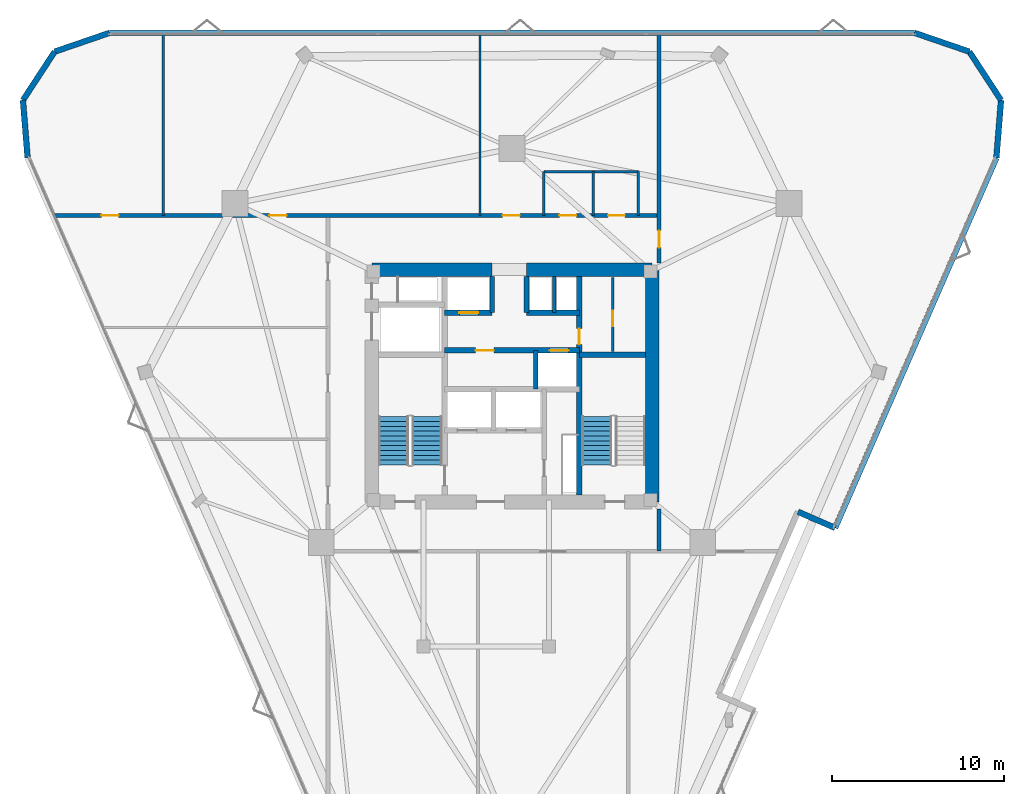
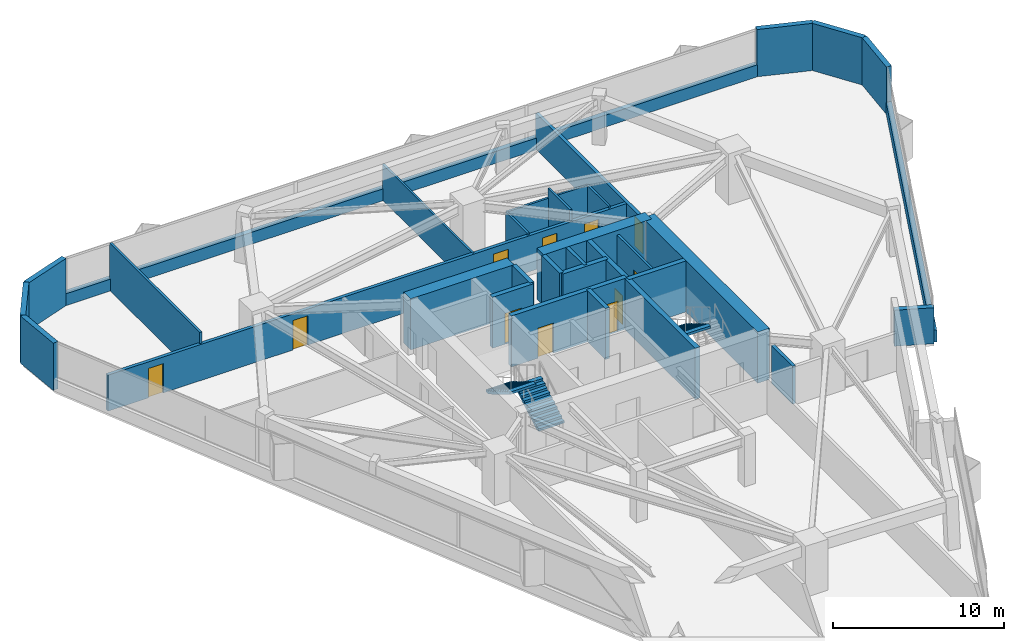
# One storey, part 10 of 12: 31 walls, 11 doors, 3 stair flights, 11 openings, 2 elements without a shape of their own.
"""IFC4 building model written with IfcOpenShell, lengths in metres."""

from ifc_helpers import new_model, si_unit, direction, frame, frame_2d, origin, place, context, subcontext, project, spatial, polyline, rectangle, outline, extrude, material, layer, layer_set, type_object, element, fill, aggregate, save


model = new_model("IFC4")

# Units and contexts
model_context = context("Model", 3, precision=1e-05, world=origin(), true_north=direction((0.0, 1.0)))
body_context = subcontext(model_context, "Body", "Model", "MODEL_VIEW")
ifc_project = project(units=[si_unit("LENGTHUNIT", "METRE"), si_unit("AREAUNIT", "SQUARE_METRE"), si_unit("VOLUMEUNIT", "CUBIC_METRE"), si_unit("PLANEANGLEUNIT", "RADIAN"), si_unit("MASSUNIT", "GRAM", prefix="KILO")], contexts=[model_context])

# Site, building, storey
site_placement = place(None, origin())
site = spatial("IfcSite", under=ifc_project, at=site_placement, CompositionType="ELEMENT")
building_placement = place(site_placement, origin())
building = spatial("IfcBuilding", under=site, at=building_placement, Name="Talyreon Biosciences Tower", CompositionType="ELEMENT")
storey_placement = place(building_placement, frame((0.0, 0.0, 152.75)))
storey = spatial("IfcBuildingStorey", under=building, at=storey_placement, Name="L40", CompositionType="ELEMENT", Elevation=152.75)

# Walls
ifc_material_1 = material(Name="Concrete C50/60", Category="concrete")
ifc_layer_1 = layer(ifc_material_1, 0.219970703125)
ifc_layer_set_1 = layer_set([ifc_layer_1], Name="Concrete C50/60")
wall_type_1 = type_object("IfcWallType", Name="CoreShearWall_220", PredefinedType="SHEAR", material=ifc_layer_set_1)
wall_1_placement = place(storey_placement, frame((68.4599609375, 72.25, 0.0), z_axis=(0.0, 0.0, 1.0), x_axis=(0.0, 1.0, 0.0)))
element("IfcWall", 1, at=wall_1_placement, inside=storey, type_object=wall_type_1, Name="L40 Core Shaft Wall SWPHD", PredefinedType="SHEAR", context=body_context, shape_type="SweptSolid", body=[
    extrude(rectangle(XDim=2.10009765625, YDim=0.219970703125, at=frame_2d((1.050048828125, 0.0))), origin(), (0.0, 0.0, 1.0), 3.64990234375),
])
ifc_layer_2 = layer(ifc_material_1, 0.280029296875)
ifc_layer_set_2 = layer_set([ifc_layer_2], Name="Concrete C50/60")
wall_type_2 = type_object("IfcWallType", Name="CoreShearWall_280", PredefinedType="SHEAR", material=ifc_layer_set_2)
for number, where, z_axis, x_axis, name in (
    (2, (64.85009765625, 72.25, 0.0), (0.0, 0.0, 1.0), (0.0, 1.0, 0.0), "L40 Core Shaft Wall SWTHW"),
    (3, (66.85009765625, 72.25, 0.0), (0.0, 0.0, 1.0), (0.0, 1.0, 0.0), "L40 Core Shaft Wall SWTHE"),
):
    element("IfcWall", number, at=place(storey_placement, frame(where, z_axis=z_axis, x_axis=x_axis)), inside=storey, type_object=wall_type_2, Name=name, PredefinedType="SHEAR", context=body_context, shape_type="SweptSolid", body=[
        extrude(rectangle(XDim=2.10009765625, YDim=0.280029296875, at=frame_2d((1.050048828125, 0.0))), origin(), (0.0, 0.0, 1.0), 3.64990234375),
    ])
wall_2_placement = place(storey_placement, frame((67.3798828125, 67.800048828125, 0.0), z_axis=(0.0, 0.0, 1.0), x_axis=(0.0, 1.0, 0.0)))
element("IfcWall", 4, at=wall_2_placement, inside=storey, type_object=wall_type_2, Name="L40 Core Shaft Wall SWPMD", PredefinedType="SHEAR", context=body_context, shape_type="SweptSolid", body=[
    extrude(rectangle(XDim=2.25, YDim=0.280029296875, at=frame_2d((1.125, 0.0))), origin(), (0.0, 0.0, 1.0), 3.64990234375),
])

# Wall, opening, door
ifc_layer_3 = layer(ifc_material_1, 0.320068359375)
ifc_layer_set_3 = layer_set([ifc_layer_3], Name="Concrete C50/60")
wall_type_3 = type_object("IfcWallType", Name="CoreShearWall_320", PredefinedType="SHEAR", material=ifc_layer_set_3)
wall_3_placement = place(storey_placement, frame((69.909912109375, 61.64990234375, 0.0), z_axis=(0.0, 0.0, 1.0), x_axis=(0.0, 1.0, 0.0)))
wall_3 = element("IfcWall", 5, at=wall_3_placement, inside=storey, type_object=wall_type_3, Name="L40 Core Shaft Wall SW2W", PredefinedType="SHEAR", context=body_context, shape_type="SweptSolid", body=[
    extrude(rectangle(XDim=12.7001953125, YDim=0.320068359375, at=frame_2d((6.35009765625, 0.0))), origin(), (0.0, 0.0, 1.0), 3.64990234375),
])
opening_1_placement = place(wall_3_placement, frame((8.75, 0.0, 0.0)))
opening_1 = element("IfcOpeningElement", 6, at=opening_1_placement, cuts=wall_3, Name="Opening DR-L40-CSRV", PredefinedType="OPENING", context=body_context, shape_type="SweptSolid", body=[
    extrude(rectangle(XDim=0.919921875, YDim=2.050048828125, at=frame_2d((0.4599609375, 1.02490234375))), frame((0.0, 0.169921875, 0.0), z_axis=(0.0, -1.0, 0.0), x_axis=(1.0, 0.0, 0.0)), (0.0, 0.0, 1.0), 0.340087890625),
])
ifc_material_2 = material(Name="Painted steel fire-rated riser door", Category="steel")
door_type_1 = type_object("IfcDoorType", Name="RiserPlantAccessDoor_920x2050", OperationType="NOTDEFINED", PredefinedType="DOOR", material=ifc_material_2)
door_1_placement = place(opening_1_placement, origin())
door_1 = element("IfcDoor", 7, at=door_1_placement, inside=storey, type_object=door_type_1, Name="L40 Core Door DR-L40-CSRV", OperationType="SINGLE_SWING_RIGHT", OverallHeight=2.050048828125, OverallWidth=0.919921875, PredefinedType="DOOR", context=body_context, shape_type="SweptSolid", body=[
    extrude(rectangle(XDim=0.919921875, YDim=2.050048828125, at=frame_2d((0.4599609375, 1.02490234375))), frame((0.0, 0.02490234375, 0.0), z_axis=(0.0, -1.0, 0.0), x_axis=(1.0, 0.0, 0.0)), (0.0, 0.0, 1.0), 0.050048828125),
])
fill(opening_1, door_1)

# Wall
wall_4_placement = place(storey_placement, frame((69.909912109375, 69.81005859375, 0.0), z_axis=(0.0, 0.0, 1.0), x_axis=(1.0, 0.0, 0.0)))
element("IfcWall", 8, at=wall_4_placement, inside=storey, type_object=wall_type_3, Name="L40 Core Shaft Wall SW2N", PredefinedType="SHEAR", context=body_context, shape_type="SweptSolid", body=[
    extrude(rectangle(XDim=3.840087890625, YDim=0.320068359375, at=frame_2d((1.919921875, 0.0))), origin(), (0.0, 0.0, 1.0), 3.64990234375),
])

# Wall, openings, doors
wall_5_placement = place(storey_placement, frame((62.090087890625, 70.050048828125, 0.0), z_axis=(0.0, 0.0, 1.0), x_axis=(1.0, 0.0, 0.0)))
wall_5 = element("IfcWall", 9, at=wall_5_placement, inside=storey, type_object=wall_type_3, Name="L40 Core Shaft Wall SWSPN", PredefinedType="SHEAR", context=body_context, shape_type="SweptSolid", body=[
    extrude(rectangle(XDim=7.81982421875, YDim=0.320068359375, at=frame_2d((3.909912109375, 0.0))), origin(), (0.0, 0.0, 1.0), 3.64990234375),
])
opening_2_placement = place(wall_5_placement, frame((1.800048828125, 0.0, 0.0)))
opening_2 = element("IfcOpeningElement", 10, at=opening_2_placement, cuts=wall_5, Name="Opening DR-L40-PLFREE-A", PredefinedType="OPENING", context=body_context, shape_type="SweptSolid", body=[
    extrude(rectangle(XDim=1.050048828125, YDim=2.14990234375, at=frame_2d((0.52490234375, 1.074951171875))), frame((0.0, 0.169921875, 0.0), z_axis=(0.0, -1.0, 0.0), x_axis=(1.0, 0.0, 0.0)), (0.0, 0.0, 1.0), 0.340087890625),
])
opening_3_placement = place(wall_5_placement, frame((6.10009765625, 0.0, 0.0)))
opening_3 = element("IfcOpeningElement", 11, at=opening_3_placement, cuts=wall_5, Name="Opening LD-L40-PM1", PredefinedType="OPENING", context=body_context, shape_type="SweptSolid", body=[
    extrude(rectangle(XDim=1.10009765625, YDim=2.199951171875, at=frame_2d((0.550048828125, 1.10009765625))), frame((0.0, 0.169921875, 0.0), z_axis=(0.0, -1.0, 0.0), x_axis=(1.0, 0.0, 0.0)), (0.0, 0.0, 1.0), 0.340087890625),
])
ifc_material_3 = material(Name="Acoustic timber-core laboratory door", Category="wood")
door_type_2 = type_object("IfcDoorType", Name="DryLabSingleDoor_1050x2150", OperationType="NOTDEFINED", PredefinedType="DOOR", material=ifc_material_3)
door_2_placement = place(opening_2_placement, origin())
door_2 = element("IfcDoor", 12, at=door_2_placement, inside=storey, type_object=door_type_2, Name="L40 Core Door DR-L40-PLFREE-A", OperationType="SINGLE_SWING_LEFT", OverallHeight=2.14990234375, OverallWidth=1.050048828125, PredefinedType="DOOR", context=body_context, shape_type="SweptSolid", body=[
    extrude(rectangle(XDim=1.050048828125, YDim=2.14990234375, at=frame_2d((0.52490234375, 1.074951171875))), frame((0.0, 0.02490234375, 0.0), z_axis=(0.0, -1.0, 0.0), x_axis=(1.0, 0.0, 0.0)), (0.0, 0.0, 1.0), 0.050048828125),
])
fill(opening_2, door_2)
ifc_material_4 = material(Name="Brushed stainless-steel lift landing door", Category="steel")
door_type_3 = type_object("IfcDoorType", Name="LiftSlidingLandingDoor_1100x2200", OperationType="SLIDING_TO_LEFT", PredefinedType="DOOR", material=ifc_material_4)
door_3_placement = place(opening_3_placement, origin())
door_3 = element("IfcDoor", 13, at=door_3_placement, inside=storey, type_object=door_type_3, Name="L40 Core Door LD-L40-PM1", OperationType="SLIDING_TO_LEFT", OverallHeight=2.199951171875, OverallWidth=1.10009765625, PredefinedType="DOOR", context=body_context, shape_type="SweptSolid", body=[
    extrude(rectangle(XDim=1.10009765625, YDim=2.199951171875, at=frame_2d((0.550048828125, 1.10009765625))), frame((0.0, 0.02490234375, 0.0), z_axis=(0.0, -1.0, 0.0), x_axis=(1.0, 0.0, 0.0)), (0.0, 0.0, 1.0), 0.050048828125),
])
fill(opening_3, door_3)

# Wall, opening, door
wall_6_placement = place(storey_placement, frame((62.090087890625, 72.25, 0.0), z_axis=(0.0, 0.0, 1.0), x_axis=(1.0, 0.0, 0.0)))
wall_6 = element("IfcWall", 14, at=wall_6_placement, inside=storey, type_object=wall_type_3, Name="L40 Core Shaft Wall SWNPW", PredefinedType="SHEAR", context=body_context, shape_type="SweptSolid", body=[
    extrude(rectangle(XDim=2.760009765625, YDim=0.320068359375, at=frame_2d((1.3798828125, 0.0))), origin(), (0.0, 0.0, 1.0), 3.64990234375),
])
opening_4_placement = place(wall_6_placement, frame((0.85009765625, 0.0, 0.0)))
opening_4 = element("IfcOpeningElement", 15, at=opening_4_placement, cuts=wall_6, Name="Opening LD-L40-PM2", PredefinedType="OPENING", context=body_context, shape_type="SweptSolid", body=[
    extrude(rectangle(XDim=1.10009765625, YDim=2.199951171875, at=frame_2d((0.550048828125, 1.10009765625))), frame((0.0, 0.169921875, 0.0), z_axis=(0.0, -1.0, 0.0), x_axis=(1.0, 0.0, 0.0)), (0.0, 0.0, 1.0), 0.340087890625),
])
door_4_placement = place(opening_4_placement, origin())
door_4 = element("IfcDoor", 16, at=door_4_placement, inside=storey, type_object=door_type_3, Name="L40 Core Door LD-L40-PM2", OperationType="SLIDING_TO_LEFT", OverallHeight=2.199951171875, OverallWidth=1.10009765625, PredefinedType="DOOR", context=body_context, shape_type="SweptSolid", body=[
    extrude(rectangle(XDim=1.10009765625, YDim=2.199951171875, at=frame_2d((0.550048828125, 1.10009765625))), frame((0.0, 0.02490234375, 0.0), z_axis=(0.0, -1.0, 0.0), x_axis=(1.0, 0.0, 0.0)), (0.0, 0.0, 1.0), 0.050048828125),
])
fill(opening_4, door_4)

# Walls
wall_7_placement = place(storey_placement, frame((66.85009765625, 72.25, 0.0), z_axis=(0.0, 0.0, 1.0), x_axis=(1.0, 0.0, 0.0)))
element("IfcWall", 17, at=wall_7_placement, inside=storey, type_object=wall_type_3, Name="L40 Core Shaft Wall SWNPE", PredefinedType="SHEAR", context=body_context, shape_type="SweptSolid", body=[
    extrude(rectangle(XDim=3.059814453125, YDim=0.320068359375, at=frame_2d((1.52978515625, 0.0))), origin(), (0.0, 0.0, 1.0), 3.64990234375),
])
ifc_material_5 = material(Name="Concrete C60/75", Category="concrete")
ifc_layer_4 = layer(ifc_material_5, 0.800048828125)
ifc_layer_set_4 = layer_set([ifc_layer_4], Name="Concrete C60/75")
wall_type_4 = type_object("IfcWallType", Name="CoreShearWall_800", PredefinedType="SHEAR", material=ifc_layer_set_4)
wall_8_placement = place(storey_placement, frame((74.14990234375, 61.25, 0.0), z_axis=(0.0, 0.0, 1.0), x_axis=(0.0, 1.0, 0.0)))
element("IfcWall", 18, at=wall_8_placement, inside=storey, type_object=wall_type_4, Name="L40 Core Shear Wall E", PredefinedType="SHEAR", context=body_context, shape_type="SweptSolid", body=[
    extrude(rectangle(XDim=13.5, YDim=0.800048828125, at=frame_2d((6.75, 0.0))), origin(), (0.0, 0.0, 1.0), 3.64990234375),
])
wall_9_placement = place(storey_placement, frame((74.14990234375, 74.75, 0.0), z_axis=(0.0, 0.0, 1.0), x_axis=(-1.0, 0.0, 0.0)))
element("IfcWall", 19, at=wall_9_placement, inside=storey, type_object=wall_type_4, Name="L40 Core Shear Wall NE", PredefinedType="SHEAR", context=body_context, shape_type="SweptSolid", body=[
    extrude(rectangle(XDim=7.2998046875, YDim=0.800048828125, at=frame_2d((3.64990234375, 0.0))), origin(), (0.0, 0.0, 1.0), 3.64990234375),
])
wall_10_placement = place(storey_placement, frame((64.85009765625, 74.75, 0.0), z_axis=(0.0, 0.0, 1.0), x_axis=(-1.0, 0.0, 0.0)))
element("IfcWall", 20, at=wall_10_placement, inside=storey, type_object=wall_type_4, Name="L40 Core Shear Wall NW", PredefinedType="SHEAR", context=body_context, shape_type="SweptSolid", body=[
    extrude(rectangle(XDim=7.0, YDim=0.800048828125, at=frame_2d((3.5, 0.0))), origin(), (0.0, 0.0, 1.0), 3.64990234375),
])

# Wall, openings, doors
ifc_material_6 = material(Name="Gypsum fireboard acoustic stud", Category="gypsum")
ifc_layer_5 = layer(ifc_material_6, 0.219970703125)
ifc_layer_set_5 = layer_set([ifc_layer_5], Name="Gypsum fireboard acoustic stud")
wall_type_5 = type_object("IfcWallType", Name="CorridorRatedPartition_220", PredefinedType="PARTITIONING", material=ifc_layer_set_5)
wall_11_placement = place(storey_placement, frame((39.390625, 77.89990234375, 0.0), z_axis=(0.0, 0.0, 1.0), x_axis=(1.0, 0.0, 0.0)))
wall_11 = element("IfcWall", 21, at=wall_11_placement, inside=storey, type_object=wall_type_5, Name="L40 Interior Wall IW-L40-COR-N", PredefinedType="PARTITIONING", context=body_context, shape_type="SweptSolid", body=[
    extrude(rectangle(XDim=35.159423828125, YDim=0.219970703125, at=frame_2d((17.57958984375, 0.0))), origin(), (0.0, 0.0, 1.0), 2.574951171875),
])
opening_5_placement = place(wall_11_placement, frame((29.368896484375, 0.0, 0.0)))
opening_5 = element("IfcOpeningElement", 22, at=opening_5_placement, cuts=wall_11, Name="Opening DR-L40-WC", PredefinedType="OPENING", context=body_context, shape_type="SweptSolid", body=[
    extrude(rectangle(XDim=0.97998046875, YDim=2.10009765625, at=frame_2d((0.489990234375, 1.050048828125))), frame((0.0, 0.119873046875, 0.0), z_axis=(0.0, -1.0, 0.0), x_axis=(1.0, 0.0, 0.0)), (0.0, 0.0, 1.0), 0.239990234375),
])
opening_6_placement = place(wall_11_placement, frame((32.194091796875, 0.0, 0.0)))
opening_6 = element("IfcOpeningElement", 23, at=opening_6_placement, cuts=wall_11, Name="Opening DR-L40-AWC", PredefinedType="OPENING", context=body_context, shape_type="SweptSolid", body=[
    extrude(rectangle(XDim=0.97998046875, YDim=2.10009765625, at=frame_2d((0.489990234375, 1.050048828125))), frame((0.0, 0.119873046875, 0.0), z_axis=(0.0, -1.0, 0.0), x_axis=(1.0, 0.0, 0.0)), (0.0, 0.0, 1.0), 0.239990234375),
])
opening_7_placement = place(wall_11_placement, frame((2.740966796875, 0.0, 0.0)))
opening_7 = element("IfcOpeningElement", 24, at=opening_7_placement, cuts=wall_11, Name="Opening DR-L40-N1A", PredefinedType="OPENING", context=body_context, shape_type="SweptSolid", body=[
    extrude(rectangle(XDim=1.0, YDim=2.10009765625, at=frame_2d((0.5, 1.050048828125))), frame((0.0, 0.119873046875, 0.0), z_axis=(0.0, -1.0, 0.0), x_axis=(1.0, 0.0, 0.0)), (0.0, 0.0, 1.0), 0.239990234375),
])
opening_8_placement = place(wall_11_placement, frame((12.509033203125, 0.0, 0.0)))
opening_8 = element("IfcOpeningElement", 25, at=opening_8_placement, cuts=wall_11, Name="Opening DR-L40-N2A", PredefinedType="OPENING", context=body_context, shape_type="SweptSolid", body=[
    extrude(rectangle(XDim=1.0, YDim=2.10009765625, at=frame_2d((0.5, 1.050048828125))), frame((0.0, 0.119873046875, 0.0), z_axis=(0.0, -1.0, 0.0), x_axis=(1.0, 0.0, 0.0)), (0.0, 0.0, 1.0), 0.239990234375),
])
opening_9_placement = place(wall_11_placement, frame((26.06494140625, 0.0, 0.0)))
opening_9 = element("IfcOpeningElement", 26, at=opening_9_placement, cuts=wall_11, Name="Opening DR-L40-N3A", PredefinedType="OPENING", context=body_context, shape_type="SweptSolid", body=[
    extrude(rectangle(XDim=1.0, YDim=2.10009765625, at=frame_2d((0.5, 1.050048828125))), frame((0.0, 0.119873046875, 0.0), z_axis=(0.0, -1.0, 0.0), x_axis=(1.0, 0.0, 0.0)), (0.0, 0.0, 1.0), 0.239990234375),
])
ifc_material_7 = material(Name="Laminate moisture-resistant door", Category="wood")
door_type_4 = type_object("IfcDoorType", Name="AccessibleToiletDoor_980x2100", OperationType="NOTDEFINED", PredefinedType="DOOR", material=ifc_material_7)
door_5_placement = place(opening_5_placement, origin())
door_5 = element("IfcDoor", 27, at=door_5_placement, inside=storey, type_object=door_type_4, Name="L40 Interior Door DR-L40-WC", OperationType="SINGLE_SWING_RIGHT", OverallHeight=2.10009765625, OverallWidth=0.97998046875, PredefinedType="DOOR", context=body_context, shape_type="SweptSolid", body=[
    extrude(rectangle(XDim=0.97998046875, YDim=2.10009765625, at=frame_2d((0.489990234375, 1.050048828125))), frame((0.0, 0.02490234375, 0.0), z_axis=(0.0, -1.0, 0.0), x_axis=(1.0, 0.0, 0.0)), (0.0, 0.0, 1.0), 0.050048828125),
])
fill(opening_5, door_5)
door_6_placement = place(opening_6_placement, origin())
door_6 = element("IfcDoor", 28, at=door_6_placement, inside=storey, type_object=door_type_4, Name="L40 Interior Door DR-L40-AWC", OperationType="SINGLE_SWING_LEFT", OverallHeight=2.10009765625, OverallWidth=0.97998046875, PredefinedType="DOOR", context=body_context, shape_type="SweptSolid", body=[
    extrude(rectangle(XDim=0.97998046875, YDim=2.10009765625, at=frame_2d((0.489990234375, 1.050048828125))), frame((0.0, 0.02490234375, 0.0), z_axis=(0.0, -1.0, 0.0), x_axis=(1.0, 0.0, 0.0)), (0.0, 0.0, 1.0), 0.050048828125),
])
fill(opening_6, door_6)
ifc_material_8 = material(Name="Acoustic oak veneer office door", Category="wood")
door_type_5 = type_object("IfcDoorType", Name="WriteupOfficeDoor_1000x2100", OperationType="NOTDEFINED", PredefinedType="DOOR", material=ifc_material_8)
door_7_placement = place(opening_7_placement, origin())
door_7 = element("IfcDoor", 29, at=door_7_placement, inside=storey, type_object=door_type_5, Name="L40 Interior Door DR-L40-N1A", OperationType="SINGLE_SWING_LEFT", OverallHeight=2.10009765625, OverallWidth=1.0, PredefinedType="DOOR", context=body_context, shape_type="SweptSolid", body=[
    extrude(rectangle(XDim=1.0, YDim=2.10009765625, at=frame_2d((0.5, 1.050048828125))), frame((0.0, 0.02490234375, 0.0), z_axis=(0.0, -1.0, 0.0), x_axis=(1.0, 0.0, 0.0)), (0.0, 0.0, 1.0), 0.050048828125),
])
fill(opening_7, door_7)
door_8_placement = place(opening_8_placement, origin())
door_8 = element("IfcDoor", 30, at=door_8_placement, inside=storey, type_object=door_type_5, Name="L40 Interior Door DR-L40-N2A", OperationType="SINGLE_SWING_RIGHT", OverallHeight=2.10009765625, OverallWidth=1.0, PredefinedType="DOOR", context=body_context, shape_type="SweptSolid", body=[
    extrude(rectangle(XDim=1.0, YDim=2.10009765625, at=frame_2d((0.5, 1.050048828125))), frame((0.0, 0.02490234375, 0.0), z_axis=(0.0, -1.0, 0.0), x_axis=(1.0, 0.0, 0.0)), (0.0, 0.0, 1.0), 0.050048828125),
])
fill(opening_8, door_8)
door_9_placement = place(opening_9_placement, origin())
door_9 = element("IfcDoor", 31, at=door_9_placement, inside=storey, type_object=door_type_5, Name="L40 Interior Door DR-L40-N3A", OperationType="SINGLE_SWING_RIGHT", OverallHeight=2.10009765625, OverallWidth=1.0, PredefinedType="DOOR", context=body_context, shape_type="SweptSolid", body=[
    extrude(rectangle(XDim=1.0, YDim=2.10009765625, at=frame_2d((0.5, 1.050048828125))), frame((0.0, 0.02490234375, 0.0), z_axis=(0.0, -1.0, 0.0), x_axis=(1.0, 0.0, 0.0)), (0.0, 0.0, 1.0), 0.050048828125),
])
fill(opening_9, door_9)

# Wall, opening, door
wall_12_placement = place(storey_placement, frame((74.550048828125, 75.14990234375, 0.0), z_axis=(0.0, 0.0, 1.0), x_axis=(0.0, 1.0, 0.0)))
wall_12 = element("IfcWall", 32, at=wall_12_placement, inside=storey, type_object=wall_type_5, Name="L40 Interior Wall IW-L40-ECAP-N", PredefinedType="PARTITIONING", context=body_context, shape_type="SweptSolid", body=[
    extrude(rectangle(XDim=13.284423828125, YDim=0.219970703125, at=frame_2d((6.64208984375, 0.0))), origin(), (0.0, 0.0, 1.0), 2.574951171875),
])
opening_10_placement = place(wall_12_placement, frame((0.875, 0.0, 0.0)))
opening_10 = element("IfcOpeningElement", 33, at=opening_10_placement, cuts=wall_12, Name="Opening DR-L40-E1A", PredefinedType="OPENING", context=body_context, shape_type="SweptSolid", body=[
    extrude(rectangle(XDim=1.0, YDim=2.10009765625, at=frame_2d((0.5, 1.050048828125))), frame((0.0, 0.119873046875, 0.0), z_axis=(0.0, -1.0, 0.0), x_axis=(1.0, 0.0, 0.0)), (0.0, 0.0, 1.0), 0.239990234375),
])
door_10_placement = place(opening_10_placement, origin())
door_10 = element("IfcDoor", 34, at=door_10_placement, inside=storey, type_object=door_type_5, Name="L40 Interior Door DR-L40-E1A", OperationType="SINGLE_SWING_LEFT", OverallHeight=2.10009765625, OverallWidth=1.0, PredefinedType="DOOR", context=body_context, shape_type="SweptSolid", body=[
    extrude(rectangle(XDim=1.0, YDim=2.10009765625, at=frame_2d((0.5, 1.050048828125))), frame((0.0, 0.02490234375, 0.0), z_axis=(0.0, -1.0, 0.0), x_axis=(1.0, 0.0, 0.0)), (0.0, 0.0, 1.0), 0.050048828125),
])
fill(opening_10, door_10)

# Wall
wall_13_placement = place(storey_placement, frame((74.550048828125, 58.3798828125, 0.0), z_axis=(0.0, 0.0, 1.0), x_axis=(0.0, 1.0, 0.0)))
element("IfcWall", 35, at=wall_13_placement, inside=storey, type_object=wall_type_5, Name="L40 Interior Wall IW-L40-ECAP-S", PredefinedType="PARTITIONING", context=body_context, shape_type="SweptSolid", body=[
    extrude(rectangle(XDim=2.47021484375, YDim=0.219970703125, at=frame_2d((1.235107421875, 0.0))), origin(), (0.0, 0.0, 1.0), 2.705078125),
])

# Wall, opening, door
ifc_material_9 = material(Name="Gypsum acoustic stud partition", Category="gypsum")
ifc_layer_6 = layer(ifc_material_9, 0.159912109375)
ifc_layer_set_6 = layer_set([ifc_layer_6], Name="Gypsum acoustic stud partition")
wall_type_6 = type_object("IfcWallType", Name="LabSeparationPartition_160", PredefinedType="PARTITIONING", material=ifc_layer_set_6)
wall_14_placement = place(storey_placement, frame((71.85009765625, 70.0, 0.0), z_axis=(0.0, 0.0, 1.0), x_axis=(0.0, 1.0, 0.0)))
wall_14 = element("IfcWall", 36, at=wall_14_placement, inside=storey, type_object=wall_type_6, Name="L40 Interior Wall IW-L40-CSRV-V", PredefinedType="PARTITIONING", context=body_context, shape_type="SweptSolid", body=[
    extrude(rectangle(XDim=4.300048828125, YDim=0.159912109375, at=frame_2d((2.14990234375, 0.0))), origin(), (0.0, 0.0, 1.0), 3.375),
])
opening_11_placement = place(wall_14_placement, frame((1.449951171875, 0.0, 0.0)))
opening_11 = element("IfcOpeningElement", 37, at=opening_11_placement, cuts=wall_14, Name="Opening DR-L40-CSRV-I", PredefinedType="OPENING", context=body_context, shape_type="SweptSolid", body=[
    extrude(rectangle(XDim=0.919921875, YDim=2.050048828125, at=frame_2d((0.4599609375, 1.02490234375))), frame((0.0, 0.08984375, 0.0), z_axis=(0.0, -1.0, 0.0), x_axis=(1.0, 0.0, 0.0)), (0.0, 0.0, 1.0), 0.179931640625),
])
door_11_placement = place(opening_11_placement, origin())
door_11 = element("IfcDoor", 38, at=door_11_placement, inside=storey, type_object=door_type_1, Name="L40 Interior Door DR-L40-CSRV-I", OperationType="SINGLE_SWING_RIGHT", OverallHeight=2.050048828125, OverallWidth=0.919921875, PredefinedType="DOOR", context=body_context, shape_type="SweptSolid", body=[
    extrude(rectangle(XDim=0.919921875, YDim=2.050048828125, at=frame_2d((0.4599609375, 1.02490234375))), frame((0.0, 0.02490234375, 0.0), z_axis=(0.0, -1.0, 0.0), x_axis=(1.0, 0.0, 0.0)), (0.0, 0.0, 1.0), 0.050048828125),
])
fill(opening_11, door_11)

# Walls
wall_15_placement = place(storey_placement, frame((45.721923828125, 77.89990234375, 0.0), z_axis=(0.0, 0.0, 1.0), x_axis=(0.0, 1.0, 0.0)))
element("IfcWall", 39, at=wall_15_placement, inside=storey, type_object=wall_type_6, Name="L40 Interior Wall IW-L40-NDIV1", PredefinedType="PARTITIONING", context=body_context, shape_type="SweptSolid", body=[
    extrude(rectangle(XDim=10.534423828125, YDim=0.159912109375, at=frame_2d((5.26708984375, 0.0))), origin(), (0.0, 0.0, 1.0), 3.375),
])
ifc_layer_7 = layer(ifc_material_9, 0.1298828125)
ifc_layer_set_7 = layer_set([ifc_layer_7], Name="Gypsum acoustic stud partition")
wall_type_7 = type_object("IfcWallType", Name="OfficeWriteupPartition_130", PredefinedType="PARTITIONING", material=ifc_layer_set_7)
wall_16_placement = place(storey_placement, frame((64.14111328125, 77.89990234375, 0.0), z_axis=(0.0, 0.0, 1.0), x_axis=(0.0, 1.0, 0.0)))
element("IfcWall", 40, at=wall_16_placement, inside=storey, type_object=wall_type_7, Name="L40 Interior Wall IW-L40-NDIV2", PredefinedType="PARTITIONING", context=body_context, shape_type="SweptSolid", body=[
    extrude(rectangle(XDim=10.534423828125, YDim=0.1298828125, at=frame_2d((5.26708984375, 0.0))), origin(), (0.0, 0.0, 1.0), 2.574951171875),
])
ifc_material_10 = material(Name="Precast concrete C45/55", Category="concrete")
ifc_layer_8 = layer(ifc_material_10, 0.340087890625)
ifc_layer_set_8 = layer_set([ifc_layer_8], Name="Precast concrete C45/55")
wall_type_8 = type_object("IfcWallType", Name="PrecastConcreteSpandrelWall_340", PredefinedType="STANDARD", material=ifc_layer_set_8)
for number, where, z_axis, x_axis, name in (
    (41, (37.841064453125, 81.240966796875, 0.0), (0.0, 0.0, 1.0), (-0.080769230079, 0.996732828532, 0.0), "L40 Rounded-Corner Concrete Pier 00"),
    (42, (37.568603515625, 84.603271484375, 0.0), (0.0, 0.0, 1.0), (0.547867350875, 0.836565219123, 0.0), "L40 Rounded-Corner Concrete Pier 01"),
    (43, (39.416748046875, 87.42529296875, 0.0), (0.0, 0.0, 1.0), (0.94594911795, 0.324315072497, 0.0), "L40 Rounded-Corner Concrete Pier 02"),
):
    element("IfcWall", number, at=place(storey_placement, frame(where, z_axis=z_axis, x_axis=x_axis)), inside=storey, type_object=wall_type_8, Name=name, PredefinedType="STANDARD", context=body_context, shape_type="SweptSolid", body=[
        extrude(rectangle(XDim=3.373291015625, YDim=0.340087890625, at=frame_2d((1.6865234375, 0.0))), origin(), (0.0, 0.0, 1.0), 3.375),
    ])
wall_17_placement = place(storey_placement, frame((42.607666015625, 88.519287109375, 0.0), z_axis=(0.0, 0.0, 1.0), x_axis=(1.0, 0.0, 0.0)))
element("IfcWall", 44, at=wall_17_placement, inside=storey, type_object=wall_type_8, Name="L40 Expressed Concrete Sill Wall 03", PredefinedType="STANDARD", context=body_context, shape_type="SweptSolid", body=[
    extrude(rectangle(XDim=46.78466796875, YDim=0.340087890625, at=frame_2d((23.392333984375, 0.0))), origin(), (0.0, 0.0, 1.0), 0.85009765625),
])
for number, where, z_axis, x_axis, name in (
    (45, (89.392333984375, 88.519287109375, 0.0), (0.0, 0.0, 1.0), (0.94594911795, -0.324315072497, 0.0), "L40 Rounded-Corner Concrete Pier 04"),
    (46, (92.583251953125, 87.42529296875, 0.0), (0.0, 0.0, 1.0), (0.547867350875, -0.836565219123, 0.0), "L40 Rounded-Corner Concrete Pier 05"),
    (47, (94.431396484375, 84.603271484375, 0.0), (0.0, 0.0, 1.0), (-0.080769230079, -0.996732828532, 0.0), "L40 Rounded-Corner Concrete Pier 06"),
):
    element("IfcWall", number, at=place(storey_placement, frame(where, z_axis=z_axis, x_axis=x_axis)), inside=storey, type_object=wall_type_8, Name=name, PredefinedType="STANDARD", context=body_context, shape_type="SweptSolid", body=[
        extrude(rectangle(XDim=3.373291015625, YDim=0.340087890625, at=frame_2d((1.6865234375, 0.0))), origin(), (0.0, 0.0, 1.0), 3.375),
    ])
wall_18_placement = place(storey_placement, frame((94.158935546875, 81.240966796875, 0.0), z_axis=(0.0, 0.0, 1.0), x_axis=(-0.399698418424, -0.916646700921, 0.0)))
element("IfcWall", 48, at=wall_18_placement, inside=storey, type_object=wall_type_8, Name="L40 Expressed Concrete Sill Wall 07", PredefinedType="STANDARD", context=body_context, shape_type="SweptSolid", body=[
    extrude(rectangle(XDim=23.46240234375, YDim=0.340087890625, at=frame_2d((11.731201171875, 0.0))), origin(), (0.0, 0.0, 1.0), 0.85009765625),
])
wall_19_placement = place(storey_placement, frame((84.781005859375, 59.734130859375, 0.0), z_axis=(0.0, 0.0, 1.0), x_axis=(-0.916654976367, 0.399679439429, 0.0)))
element("IfcWall", 49, at=wall_19_placement, inside=storey, type_object=wall_type_8, Name="L40 Terrace Backing Concrete Wall 08", PredefinedType="STANDARD", context=body_context, shape_type="SweptSolid", body=[
    extrude(rectangle(XDim=2.349853515625, YDim=0.340087890625, at=frame_2d((1.1748046875, 0.0))), origin(), (0.0, 0.0, 1.0), 2.574951171875),
])
ifc_material_11 = material(Name="Moisture-resistant cement-board stud", Category="gypsum")
ifc_layer_9 = layer(ifc_material_11, 0.14501953125)
ifc_layer_set_9 = layer_set([ifc_layer_9], Name="Moisture-resistant cement-board stud")
wall_type_9 = type_object("IfcWallType", Name="WetRoomPartition_145", PredefinedType="PARTITIONING", material=ifc_layer_set_9)
wall_20_placement = place(storey_placement, frame((67.85009765625, 77.89990234375, 0.0), z_axis=(0.0, 0.0, 1.0), x_axis=(0.0, 1.0, 0.0)))
element("IfcWall", 50, at=wall_20_placement, inside=storey, type_object=wall_type_9, Name="L40 Interior Wall IW-L40-WCL", PredefinedType="PARTITIONING", context=body_context, shape_type="SweptSolid", body=[
    extrude(rectangle(XDim=2.550048828125, YDim=0.14501953125, at=frame_2d((1.27490234375, 0.0))), origin(), (0.0, 0.0, 1.0), 2.705078125),
])
wall_21_placement = place(storey_placement, frame((70.72509765625, 77.89990234375, 0.0), z_axis=(0.0, 0.0, 1.0), x_axis=(0.0, 1.0, 0.0)))
element("IfcWall", 51, at=wall_21_placement, inside=storey, type_object=wall_type_9, Name="L40 Interior Wall IW-L40-WCM", PredefinedType="PARTITIONING", context=body_context, shape_type="SweptSolid", body=[
    extrude(rectangle(XDim=2.550048828125, YDim=0.14501953125, at=frame_2d((1.27490234375, 0.0))), origin(), (0.0, 0.0, 1.0), 3.375),
])
wall_22_placement = place(storey_placement, frame((73.35009765625, 77.89990234375, 0.0), z_axis=(0.0, 0.0, 1.0), x_axis=(0.0, 1.0, 0.0)))
element("IfcWall", 52, at=wall_22_placement, inside=storey, type_object=wall_type_9, Name="L40 Interior Wall IW-L40-WCR", PredefinedType="PARTITIONING", context=body_context, shape_type="SweptSolid", body=[
    extrude(rectangle(XDim=2.550048828125, YDim=0.14501953125, at=frame_2d((1.27490234375, 0.0))), origin(), (0.0, 0.0, 1.0), 2.705078125),
])
wall_23_placement = place(storey_placement, frame((67.85009765625, 80.449951171875, 0.0), z_axis=(0.0, 0.0, 1.0), x_axis=(1.0, 0.0, 0.0)))
element("IfcWall", 53, at=wall_23_placement, inside=storey, type_object=wall_type_9, Name="L40 Interior Wall IW-L40-WCT", PredefinedType="PARTITIONING", context=body_context, shape_type="SweptSolid", body=[
    extrude(rectangle(XDim=5.5, YDim=0.14501953125, at=frame_2d((2.75, 0.0))), origin(), (0.0, 0.0, 1.0), 2.705078125),
])

# Stair, stair flights
ifc_material_12 = material(Name="Concrete C40/50", Category="concrete")
stair_type = type_object("IfcStairType", Name="DoglegEscapeStair_3650", PredefinedType="HALF_TURN_STAIR", material=ifc_material_12)
stair_1_placement = place(storey_placement, origin())
stair_1 = element("IfcStair", 54, at=stair_1_placement, inside=storey, type_object=stair_type, Name="L40 Core Escape Stair 1", PredefinedType="HALF_TURN_STAIR")
stair_flight_type = type_object("IfcStairFlightType", Name="PrecastStairFlight_3650", PredefinedType="STRAIGHT", material=ifc_material_12)
stair_flight_1_placement = place(storey_placement, frame((61.06005859375, 63.39990234375, 0.0), z_axis=(0.0, 0.0, 1.0), x_axis=(0.0, 1.0, 0.0)))
stair_flight_1 = element("IfcStairFlight", 55, at=stair_flight_1_placement, type_object=stair_flight_type, Name="ST-1 flight 1", NumberOfRisers=11, NumberOfTreads=10, PredefinedType="STRAIGHT", RiserHeight=0.165909091, TreadLength=0.28, context=body_context, shape_type="SweptSolid", body=[
    extrude(outline(polyline([(0.0, 0.0), (0.0, 0.166015625), (0.280029296875, 0.166015625), (0.280029296875, 0.331787109375), (0.56005859375, 0.331787109375), (0.56005859375, 0.497802734375), (0.840087890625, 0.497802734375), (0.840087890625, 0.66357421875), (1.1201171875, 0.66357421875), (1.1201171875, 0.82958984375), (1.39990234375, 0.82958984375), (1.39990234375, 0.995361328125), (1.679931640625, 0.995361328125), (1.679931640625, 1.161376953125), (1.9599609375, 1.161376953125), (1.9599609375, 1.327392578125), (2.239990234375, 1.327392578125), (2.239990234375, 1.4931640625), (2.52001953125, 1.4931640625), (2.52001953125, 1.6591796875), (2.800048828125, 1.6591796875), (2.800048828125, 1.824951171875), (2.800048828125, 1.48486328125), (0.2939453125, 0.0), (0.0, 0.0)])), frame((0.0, 0.8701171875, 0.0), z_axis=(0.0, -1.0, 0.0), x_axis=(1.0, 0.0, 0.0)), (0.0, 0.0, 1.0), 1.739990234375),
])
stair_flight_2_placement = place(storey_placement, frame((59.1201171875, 66.199951171875, 1.824951171875), z_axis=(0.0, 0.0, 1.0), x_axis=(0.0, -1.0, 0.0)))
stair_flight_2 = element("IfcStairFlight", 56, at=stair_flight_2_placement, type_object=stair_flight_type, Name="ST-1 flight 2", NumberOfRisers=11, NumberOfTreads=10, PredefinedType="STRAIGHT", RiserHeight=0.165909091, TreadLength=0.28, context=body_context, shape_type="SweptSolid", body=[
    extrude(outline(polyline([(0.0, 0.0), (0.0, 0.166015625), (0.280029296875, 0.166015625), (0.280029296875, 0.331787109375), (0.56005859375, 0.331787109375), (0.56005859375, 0.497802734375), (0.840087890625, 0.497802734375), (0.840087890625, 0.66357421875), (1.1201171875, 0.66357421875), (1.1201171875, 0.82958984375), (1.39990234375, 0.82958984375), (1.39990234375, 0.995361328125), (1.679931640625, 0.995361328125), (1.679931640625, 1.161376953125), (1.9599609375, 1.161376953125), (1.9599609375, 1.327392578125), (2.239990234375, 1.327392578125), (2.239990234375, 1.4931640625), (2.52001953125, 1.4931640625), (2.52001953125, 1.6591796875), (2.800048828125, 1.6591796875), (2.800048828125, 1.824951171875), (2.800048828125, 1.48486328125), (0.2939453125, 0.0), (0.0, 0.0)])), frame((0.0, 0.8701171875, 0.0), z_axis=(0.0, -1.0, 0.0), x_axis=(1.0, 0.0, 0.0)), (0.0, 0.0, 1.0), 1.739990234375),
])
aggregate(stair_1, [stair_flight_1, stair_flight_2])

# Stair, stair flight
stair_2_placement = place(storey_placement, origin())
stair_2 = element("IfcStair", 57, at=stair_2_placement, inside=storey, type_object=stair_type, Name="L40 Core Escape Stair 2", PredefinedType="HALF_TURN_STAIR")
stair_flight_3_placement = place(storey_placement, frame((70.93994140625, 66.199951171875, 1.824951171875), z_axis=(0.0, 0.0, 1.0), x_axis=(0.0, -1.0, 0.0)))
stair_flight_3 = element("IfcStairFlight", 58, at=stair_flight_3_placement, type_object=stair_flight_type, Name="ST-2 flight 2", NumberOfRisers=11, NumberOfTreads=10, PredefinedType="STRAIGHT", RiserHeight=0.165909091, TreadLength=0.28, context=body_context, shape_type="SweptSolid", body=[
    extrude(outline(polyline([(0.0, 0.0), (0.0, 0.166015625), (0.280029296875, 0.166015625), (0.280029296875, 0.331787109375), (0.56005859375, 0.331787109375), (0.56005859375, 0.497802734375), (0.840087890625, 0.497802734375), (0.840087890625, 0.66357421875), (1.1201171875, 0.66357421875), (1.1201171875, 0.82958984375), (1.39990234375, 0.82958984375), (1.39990234375, 0.995361328125), (1.679931640625, 0.995361328125), (1.679931640625, 1.161376953125), (1.9599609375, 1.161376953125), (1.9599609375, 1.327392578125), (2.239990234375, 1.327392578125), (2.239990234375, 1.4931640625), (2.52001953125, 1.4931640625), (2.52001953125, 1.6591796875), (2.800048828125, 1.6591796875), (2.800048828125, 1.824951171875), (2.800048828125, 1.48486328125), (0.2939453125, 0.0), (0.0, 0.0)])), frame((0.0, 0.8701171875, 0.0), z_axis=(0.0, -1.0, 0.0), x_axis=(1.0, 0.0, 0.0)), (0.0, 0.0, 1.0), 1.739990234375),
])
aggregate(stair_2, [stair_flight_3])

save(model, "model.ifc")
